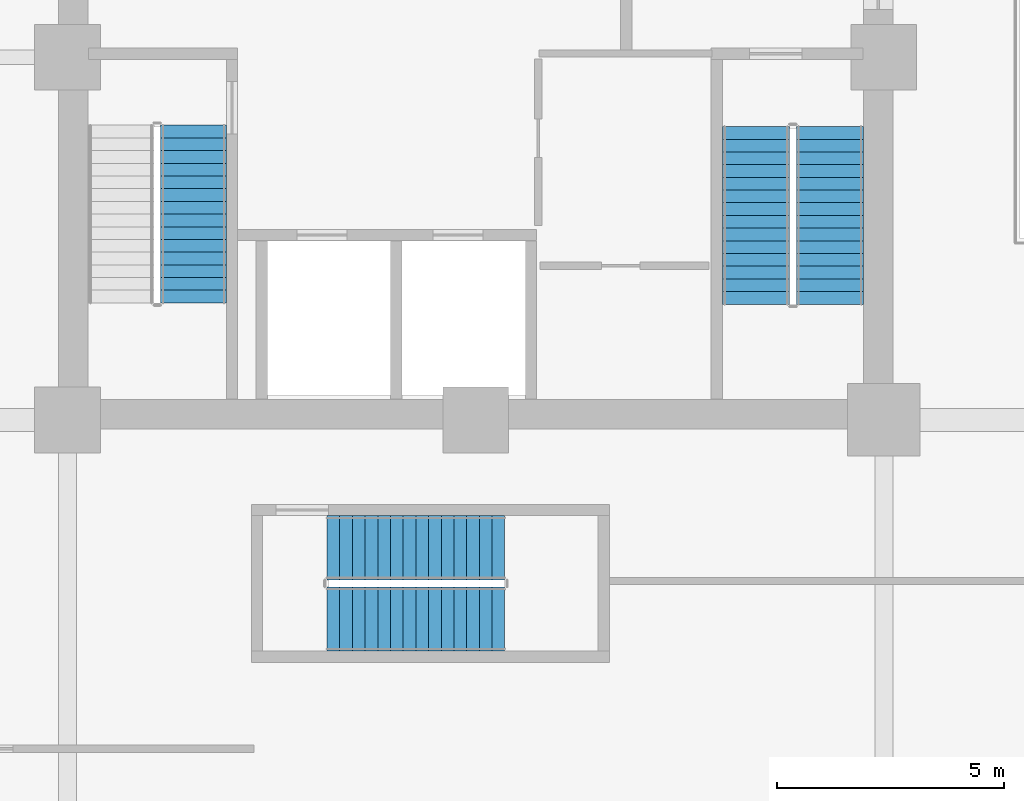
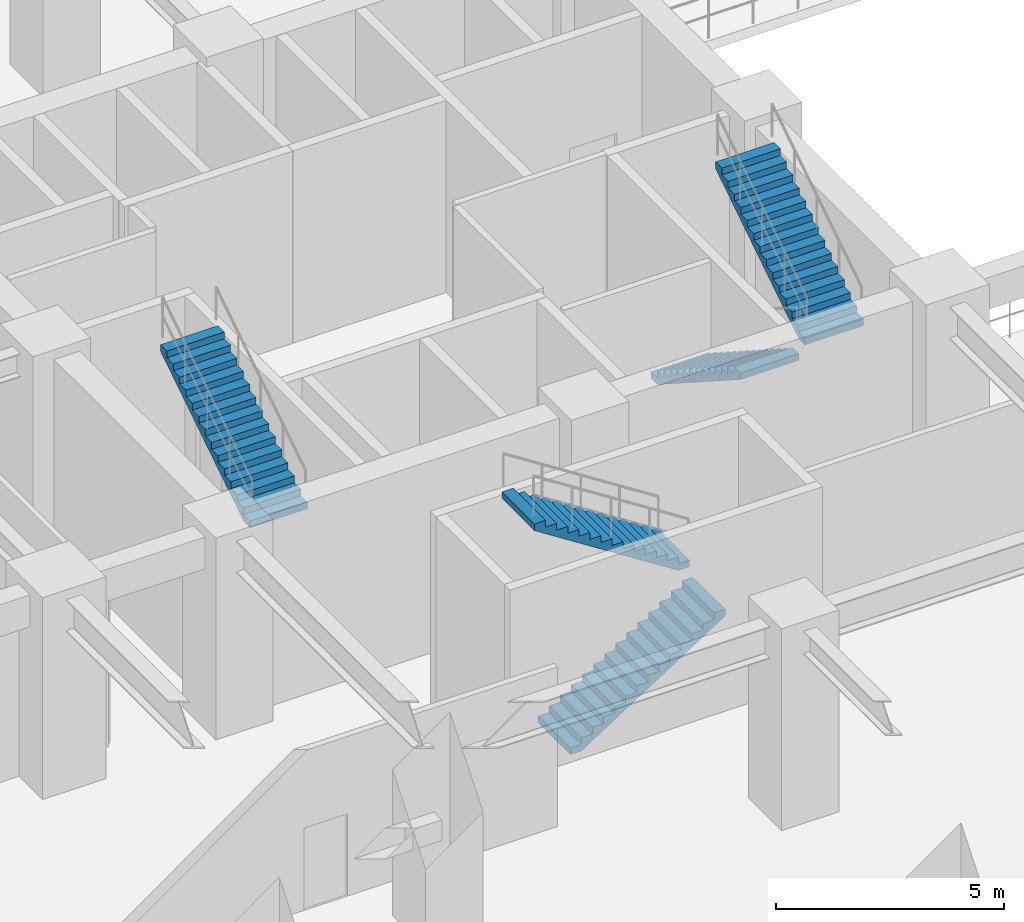
# One storey, part 26 of 33: 5 stair flights, 3 elements without a shape of their own.
"""IFC4 building model written with IfcOpenShell, lengths in metres."""

from ifc_helpers import new_model, si_unit, direction, frame, origin, place, context, subcontext, project, spatial, polyline, outline, extrude, material, type_object, element, aggregate, save


model = new_model("IFC4")

# Units and contexts
model_context = context("Model", 3, precision=1e-05, world=origin(), true_north=direction((0.0, 1.0)))
body_context = subcontext(model_context, "Body", "Model", "MODEL_VIEW")
ifc_project = project(units=[si_unit("LENGTHUNIT", "METRE"), si_unit("AREAUNIT", "SQUARE_METRE"), si_unit("VOLUMEUNIT", "CUBIC_METRE"), si_unit("PLANEANGLEUNIT", "RADIAN"), si_unit("MASSUNIT", "GRAM", prefix="KILO")], contexts=[model_context])

# Site, building, storey
site_placement = place(None, origin())
site = spatial("IfcSite", under=ifc_project, at=site_placement, CompositionType="ELEMENT")
building_placement = place(site_placement, origin())
building = spatial("IfcBuilding", under=site, at=building_placement, Name="Torre Montelarca", CompositionType="ELEMENT")
storey_placement = place(building_placement, frame((0.0, 0.0, 12.0)))
storey = spatial("IfcBuildingStorey", under=building, at=storey_placement, Name="L03", CompositionType="ELEMENT", Elevation=12.0)

# Stair, stair flight
ifc_material = material(Name="Concrete C40/50", Category="concrete")
stair_type_1 = type_object("IfcStairType", Name="ST-CORE-ST1", PredefinedType="HALF_TURN_STAIR", material=ifc_material)
stair_1_placement = place(storey_placement, origin())
stair_1 = element("IfcStair", 1, at=stair_1_placement, inside=storey, type_object=stair_type_1, Name="L03 Protected Exit Stair ST1", PredefinedType="HALF_TURN_STAIR")
stair_flight_type_1 = type_object("IfcStairFlightType", Name="SFL-CORE-ST1", PredefinedType="STRAIGHT", material=ifc_material)
stair_flight_1_placement = place(storey_placement, frame((11.77490234375, 26.580078125, 2.699951171875), z_axis=(0.0, 0.0, 1.0), x_axis=(0.0, 1.0, 0.0)))
stair_flight_1 = element("IfcStairFlight", 2, at=stair_flight_1_placement, type_object=stair_flight_type_1, Name="ST1 flight 2", NumberOfRisers=15, NumberOfTreads=14, PredefinedType="STRAIGHT", RiserHeight=0.18, TreadLength=0.28, context=body_context, shape_type="SweptSolid", body=[
    extrude(outline(polyline([(0.0, 0.0), (0.0, 0.179931640625), (0.280029296875, 0.179931640625), (0.280029296875, 0.360107421875), (0.56005859375, 0.360107421875), (0.56005859375, 0.5400390625), (0.840087890625, 0.5400390625), (0.840087890625, 0.719970703125), (1.1201171875, 0.719970703125), (1.1201171875, 0.89990234375), (1.39990234375, 0.89990234375), (1.39990234375, 1.080078125), (1.679931640625, 1.080078125), (1.679931640625, 1.260009765625), (1.9599609375, 1.260009765625), (1.9599609375, 1.43994140625), (2.239990234375, 1.43994140625), (2.239990234375, 1.6201171875), (2.52001953125, 1.6201171875), (2.52001953125, 1.800048828125), (2.800048828125, 1.800048828125), (2.800048828125, 1.97998046875), (3.080078125, 1.97998046875), (3.080078125, 2.159912109375), (3.360107421875, 2.159912109375), (3.360107421875, 2.340087890625), (3.639892578125, 2.340087890625), (3.639892578125, 2.52001953125), (3.919921875, 2.52001953125), (3.919921875, 2.699951171875), (3.919921875, 2.341796875), (0.277099609375, 0.0), (0.0, 0.0)])), frame((0.0, 0.72509765625, 0.0), z_axis=(0.0, -1.0, 0.0), x_axis=(1.0, 0.0, 0.0)), (0.0, 0.0, 1.0), 1.449951171875),
])
aggregate(stair_1, [stair_flight_1])

# Stair, stair flights
stair_type_2 = type_object("IfcStairType", Name="ST-CORE-ST2", PredefinedType="HALF_TURN_STAIR", material=ifc_material)
stair_2_placement = place(storey_placement, origin())
stair_2 = element("IfcStair", 3, at=stair_2_placement, inside=storey, type_object=stair_type_2, Name="L03 Protected Exit Stair ST2", PredefinedType="HALF_TURN_STAIR")
stair_flight_type_2 = type_object("IfcStairFlightType", Name="SFL-CORE-ST2", PredefinedType="STRAIGHT", material=ifc_material)
stair_flight_2_placement = place(storey_placement, frame((24.179931640625, 30.469970703125, 0.0), z_axis=(0.0, 0.0, 1.0), x_axis=(0.0, -1.0, 0.0)))
stair_flight_2 = element("IfcStairFlight", 4, at=stair_flight_2_placement, type_object=stair_flight_type_2, Name="ST2 flight 1", NumberOfRisers=15, NumberOfTreads=14, PredefinedType="STRAIGHT", RiserHeight=0.18, TreadLength=0.28, context=body_context, shape_type="SweptSolid", body=[
    extrude(outline(polyline([(0.0, 0.0), (0.0, 0.179931640625), (0.280029296875, 0.179931640625), (0.280029296875, 0.360107421875), (0.56005859375, 0.360107421875), (0.56005859375, 0.5400390625), (0.840087890625, 0.5400390625), (0.840087890625, 0.719970703125), (1.1201171875, 0.719970703125), (1.1201171875, 0.89990234375), (1.39990234375, 0.89990234375), (1.39990234375, 1.080078125), (1.679931640625, 1.080078125), (1.679931640625, 1.260009765625), (1.9599609375, 1.260009765625), (1.9599609375, 1.43994140625), (2.239990234375, 1.43994140625), (2.239990234375, 1.6201171875), (2.52001953125, 1.6201171875), (2.52001953125, 1.800048828125), (2.800048828125, 1.800048828125), (2.800048828125, 1.97998046875), (3.080078125, 1.97998046875), (3.080078125, 2.159912109375), (3.360107421875, 2.159912109375), (3.360107421875, 2.340087890625), (3.639892578125, 2.340087890625), (3.639892578125, 2.52001953125), (3.919921875, 2.52001953125), (3.919921875, 2.699951171875), (3.919921875, 2.341796875), (0.277099609375, 0.0), (0.0, 0.0)])), frame((0.0, 0.739990234375, 0.0), z_axis=(0.0, -1.0, 0.0), x_axis=(1.0, 0.0, 0.0)), (0.0, 0.0, 1.0), 1.47998046875),
])
stair_flight_3_placement = place(storey_placement, frame((25.81005859375, 26.550048828125, 2.699951171875), z_axis=(0.0, 0.0, 1.0), x_axis=(0.0, 1.0, 0.0)))
stair_flight_3 = element("IfcStairFlight", 5, at=stair_flight_3_placement, type_object=stair_flight_type_2, Name="ST2 flight 2", NumberOfRisers=15, NumberOfTreads=14, PredefinedType="STRAIGHT", RiserHeight=0.18, TreadLength=0.28, context=body_context, shape_type="SweptSolid", body=[
    extrude(outline(polyline([(0.0, 0.0), (0.0, 0.179931640625), (0.280029296875, 0.179931640625), (0.280029296875, 0.360107421875), (0.56005859375, 0.360107421875), (0.56005859375, 0.5400390625), (0.840087890625, 0.5400390625), (0.840087890625, 0.719970703125), (1.1201171875, 0.719970703125), (1.1201171875, 0.89990234375), (1.39990234375, 0.89990234375), (1.39990234375, 1.080078125), (1.679931640625, 1.080078125), (1.679931640625, 1.260009765625), (1.9599609375, 1.260009765625), (1.9599609375, 1.43994140625), (2.239990234375, 1.43994140625), (2.239990234375, 1.6201171875), (2.52001953125, 1.6201171875), (2.52001953125, 1.800048828125), (2.800048828125, 1.800048828125), (2.800048828125, 1.97998046875), (3.080078125, 1.97998046875), (3.080078125, 2.159912109375), (3.360107421875, 2.159912109375), (3.360107421875, 2.340087890625), (3.639892578125, 2.340087890625), (3.639892578125, 2.52001953125), (3.919921875, 2.52001953125), (3.919921875, 2.699951171875), (3.919921875, 2.341796875), (0.277099609375, 0.0), (0.0, 0.0)])), frame((0.0, 0.739990234375, 0.0), z_axis=(0.0, -1.0, 0.0), x_axis=(1.0, 0.0, 0.0)), (0.0, 0.0, 1.0), 1.47998046875),
])
aggregate(stair_2, [stair_flight_2, stair_flight_3])

stair_type_3 = type_object("IfcStairType", Name="ST-CORE-ST3", PredefinedType="HALF_TURN_STAIR", material=ifc_material)
stair_3_placement = place(storey_placement, origin())
stair_3 = element("IfcStair", 6, at=stair_3_placement, inside=storey, type_object=stair_type_3, Name="L03 Low-Rise Exit Stair ST3", PredefinedType="HALF_TURN_STAIR")
stair_flight_type_3 = type_object("IfcStairFlightType", Name="SFL-CORE-ST3", PredefinedType="STRAIGHT", material=ifc_material)
stair_flight_4_placement = place(storey_placement, frame((14.719970703125, 19.610107421875, 0.0), z_axis=(0.0, 0.0, 1.0), x_axis=(1.0, 0.0, 0.0)))
stair_flight_4 = element("IfcStairFlight", 7, at=stair_flight_4_placement, type_object=stair_flight_type_3, Name="ST3 flight 1", NumberOfRisers=15, NumberOfTreads=14, PredefinedType="STRAIGHT", RiserHeight=0.18, TreadLength=0.28, context=body_context, shape_type="SweptSolid", body=[
    extrude(outline(polyline([(0.0, 0.0), (0.0, 0.179931640625), (0.280029296875, 0.179931640625), (0.280029296875, 0.360107421875), (0.56005859375, 0.360107421875), (0.56005859375, 0.5400390625), (0.840087890625, 0.5400390625), (0.840087890625, 0.719970703125), (1.1201171875, 0.719970703125), (1.1201171875, 0.89990234375), (1.39990234375, 0.89990234375), (1.39990234375, 1.080078125), (1.679931640625, 1.080078125), (1.679931640625, 1.260009765625), (1.9599609375, 1.260009765625), (1.9599609375, 1.43994140625), (2.239990234375, 1.43994140625), (2.239990234375, 1.6201171875), (2.52001953125, 1.6201171875), (2.52001953125, 1.800048828125), (2.800048828125, 1.800048828125), (2.800048828125, 1.97998046875), (3.080078125, 1.97998046875), (3.080078125, 2.159912109375), (3.360107421875, 2.159912109375), (3.360107421875, 2.340087890625), (3.639892578125, 2.340087890625), (3.639892578125, 2.52001953125), (3.919921875, 2.52001953125), (3.919921875, 2.699951171875), (3.919921875, 2.341796875), (0.277099609375, 0.0), (0.0, 0.0)])), frame((0.0, 0.7099609375, 0.0), z_axis=(0.0, -1.0, 0.0), x_axis=(1.0, 0.0, 0.0)), (0.0, 0.0, 1.0), 1.419921875),
])
stair_flight_5_placement = place(storey_placement, frame((18.639892578125, 21.179931640625, 2.699951171875), z_axis=(0.0, 0.0, 1.0), x_axis=(-1.0, 0.0, 0.0)))
stair_flight_5 = element("IfcStairFlight", 8, at=stair_flight_5_placement, type_object=stair_flight_type_3, Name="ST3 flight 2", NumberOfRisers=15, NumberOfTreads=14, PredefinedType="STRAIGHT", RiserHeight=0.18, TreadLength=0.28, context=body_context, shape_type="SweptSolid", body=[
    extrude(outline(polyline([(0.0, 0.0), (0.0, 0.179931640625), (0.280029296875, 0.179931640625), (0.280029296875, 0.360107421875), (0.56005859375, 0.360107421875), (0.56005859375, 0.5400390625), (0.840087890625, 0.5400390625), (0.840087890625, 0.719970703125), (1.1201171875, 0.719970703125), (1.1201171875, 0.89990234375), (1.39990234375, 0.89990234375), (1.39990234375, 1.080078125), (1.679931640625, 1.080078125), (1.679931640625, 1.260009765625), (1.9599609375, 1.260009765625), (1.9599609375, 1.43994140625), (2.239990234375, 1.43994140625), (2.239990234375, 1.6201171875), (2.52001953125, 1.6201171875), (2.52001953125, 1.800048828125), (2.800048828125, 1.800048828125), (2.800048828125, 1.97998046875), (3.080078125, 1.97998046875), (3.080078125, 2.159912109375), (3.360107421875, 2.159912109375), (3.360107421875, 2.340087890625), (3.639892578125, 2.340087890625), (3.639892578125, 2.52001953125), (3.919921875, 2.52001953125), (3.919921875, 2.699951171875), (3.919921875, 2.341796875), (0.277099609375, 0.0), (0.0, 0.0)])), frame((0.0, 0.7099609375, 0.0), z_axis=(0.0, -1.0, 0.0), x_axis=(1.0, 0.0, 0.0)), (0.0, 0.0, 1.0), 1.419921875),
])
aggregate(stair_3, [stair_flight_4, stair_flight_5])

save(model, "model.ifc")
